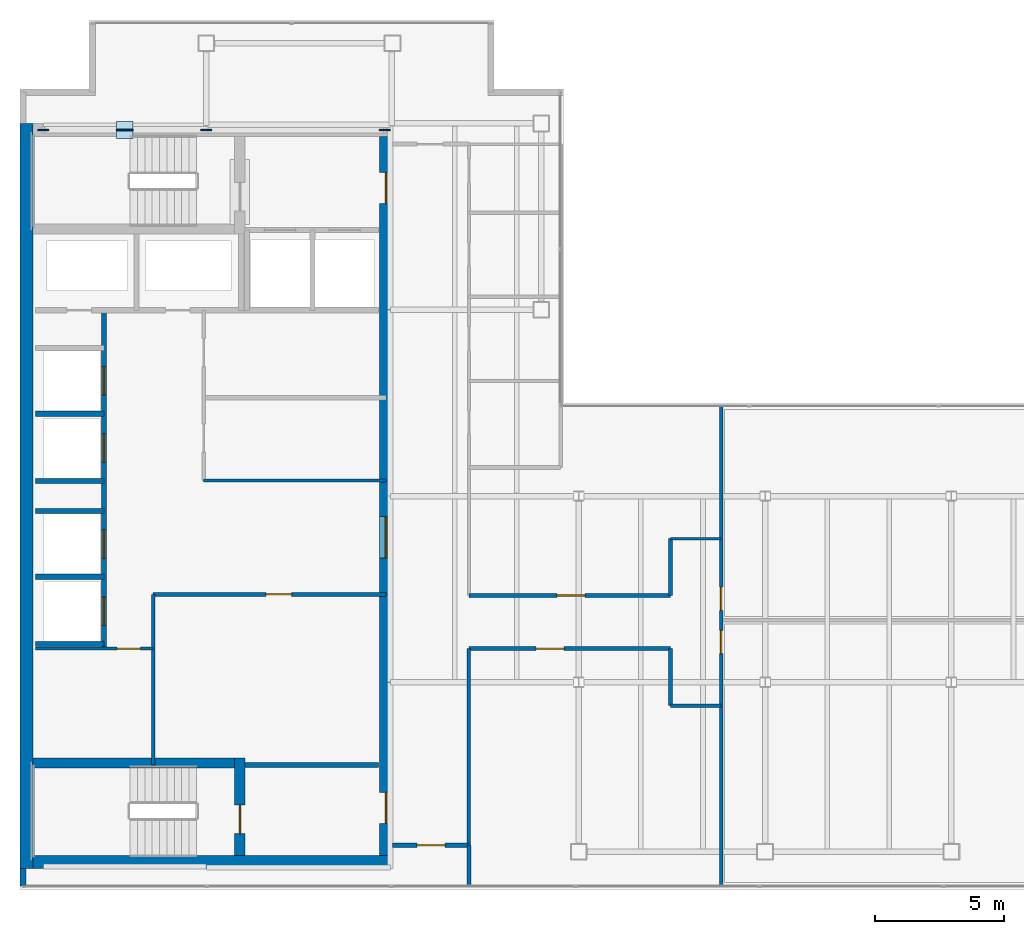
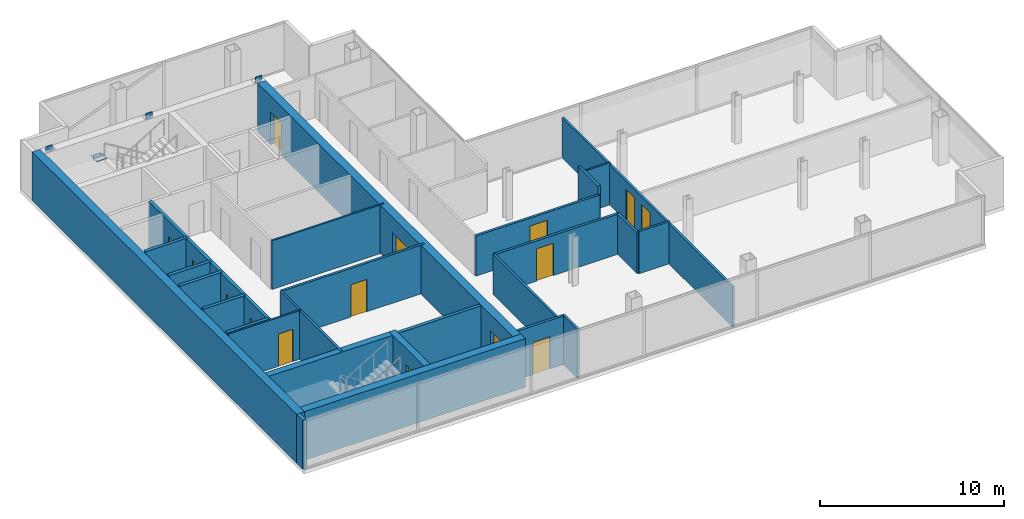
# One storey, part 20 of 23: 27 walls, 15 doors, 6 plates, 15 openings.
"""IFC4 building model written with IfcOpenShell, lengths in metres."""

from ifc_helpers import new_model, si_unit, direction, frame, frame_2d, origin, origin_2d, place, context, subcontext, project, spatial, rectangle, extrude, material, layer, layer_set, type_object, element, fill, save


model = new_model("IFC4")

# Units and contexts
model_context = context("Model", 3, precision=1e-05, world=origin(), true_north=direction((0.0, 1.0)))
body_context = subcontext(model_context, "Body", "Model", "MODEL_VIEW")
ifc_project = project(units=[si_unit("LENGTHUNIT", "METRE"), si_unit("AREAUNIT", "SQUARE_METRE"), si_unit("VOLUMEUNIT", "CUBIC_METRE"), si_unit("PLANEANGLEUNIT", "RADIAN"), si_unit("MASSUNIT", "GRAM", prefix="KILO")], contexts=[model_context])

# Site, building, storey
site_placement = place(None, origin())
site = spatial("IfcSite", under=ifc_project, at=site_placement, CompositionType="ELEMENT")
building_placement = place(site_placement, origin())
building = spatial("IfcBuilding", under=site, at=building_placement, Name="Cobrela Telecom Tower", CompositionType="ELEMENT")
storey_placement = place(building_placement, frame((0.0, 0.0, 279.64990234375)))
storey = spatial("IfcBuildingStorey", under=building, at=storey_placement, Name="L73", CompositionType="ELEMENT", Elevation=279.64990234375)

# Plates
ifc_material_1 = material(Name="Steel ASTM A572 Grade 50", Category="steel")
ifc_layer_1 = layer(ifc_material_1, 0.0419921875)
ifc_layer_set_1 = layer_set([ifc_layer_1], Name="Steel ASTM A572 Grade 50")
plate_type = type_object("IfcPlateType", Name="PLT-NODE-ND1", PredefinedType="USERDEFINED", material=ifc_layer_set_1)
for number, where, z_axis, x_axis, name in (
    (1, (7.199951171875, 35.75, 3.0751953125), (0.0, 0.0, 1.0), (1.0, 0.0, 0.0), "Steel node plate PLT-MBR-EXO-L73-N1-A-1"),
    (2, (4.173828125, 35.75, 1.349609375), (0.0, 0.0, 1.0), (-1.0, 0.0, 0.0), "Steel node plate PLT-MBR-EXO-L73-N1-B1-1"),
    (3, (3.926025390625, 35.75, 1.48046875), (0.0, 0.0, 1.0), (-1.0, 0.0, 0.0), "Steel node plate PLT-MBR-EXO-L73-N1-B2-0"),
    (4, (0.89990234375, 35.75, 3.0751953125), (0.0, 0.0, 1.0), (-1.0, 0.0, 0.0), "Steel node plate PLT-MBR-EXO-L73-N1-B2-1"),
):
    element("IfcPlate", number, at=place(storey_placement, frame(where, z_axis=z_axis, x_axis=x_axis)), inside=storey, type_object=plate_type, Name=name, ObjectType="GUSSET PLATE", PredefinedType="USERDEFINED", context=body_context, shape_type="SweptSolid", body=[
        extrude(rectangle(XDim=0.409912109375, YDim=0.044921875, at=origin_2d()), origin(), (0.0, 0.0, 1.0), 0.409912109375),
    ])
plate_1_placement = place(storey_placement, frame((4.050048828125, 35.75, 1.59765625), z_axis=(0.0, 0.0, 1.0), x_axis=(1.0, 0.0, 0.0)))
element("IfcPlate", 5, at=plate_1_placement, inside=storey, type_object=plate_type, Name="L73 Core Flange Steel X-Brace Central X-Crossing Gusset Plate", ObjectType="GUSSET PLATE", PredefinedType="USERDEFINED", context=body_context, shape_type="SweptSolid", body=[
    extrude(rectangle(XDim=0.64990234375, YDim=0.64990234375, at=origin_2d()), origin(), (0.0, 0.0, 1.0), 0.044921875),
])
plate_2_placement = place(storey_placement, frame((14.10009765625, 35.75, 3.0751953125), z_axis=(0.0, 0.0, 1.0), x_axis=(1.0, 0.0, 0.0)))
element("IfcPlate", 6, at=plate_2_placement, inside=storey, type_object=plate_type, Name="Steel node plate PLT-MBR-EXO-L73-N2-1", ObjectType="GUSSET PLATE", PredefinedType="USERDEFINED", context=body_context, shape_type="SweptSolid", body=[
    extrude(rectangle(XDim=0.409912109375, YDim=0.044921875, at=origin_2d()), origin(), (0.0, 0.0, 1.0), 0.409912109375),
])

# Walls
ifc_material_2 = material(Name="Concrete C40/50", Category="concrete")
ifc_layer_2 = layer(ifc_material_2, 0.5)
ifc_layer_set_2 = layer_set([ifc_layer_2], Name="Concrete C40/50")
wall_type_1 = type_object("IfcWallType", Name="WALL-CORE-C40-500", PredefinedType="SHEAR", material=ifc_layer_set_2)
wall_1_placement = place(storey_placement, frame((0.25, 7.199951171875, 0.0), z_axis=(0.0, 0.0, 1.0), x_axis=(0.0, 1.0, 0.0)))
element("IfcWall", 7, at=wall_1_placement, inside=storey, type_object=wall_type_1, Name="L73 West Core Shear Wall", PredefinedType="SHEAR", context=body_context, shape_type="SweptSolid", body=[
    extrude(rectangle(XDim=28.800048828125, YDim=0.5, at=frame_2d((14.39990234375, 0.0))), origin(), (0.0, 0.0, 1.0), 3.239990234375),
])
wall_2_placement = place(storey_placement, frame((0.5, 7.449951171875, 0.0), z_axis=(0.0, 0.0, 1.0), x_axis=(1.0, 0.0, 0.0)))
element("IfcWall", 8, at=wall_2_placement, inside=storey, type_object=wall_type_1, Name="L73 South Core Shear Wall", PredefinedType="SHEAR", context=body_context, shape_type="SweptSolid", body=[
    extrude(rectangle(XDim=13.89990234375, YDim=0.5, at=frame_2d((6.949951171875, 0.0))), origin(), (0.0, 0.0, 1.0), 3.239990234375),
])

# Wall, openings, doors
wall_3_placement = place(storey_placement, frame((14.14990234375, 35.5, 0.0), z_axis=(0.0, 0.0, 1.0), x_axis=(0.0, -1.0, 0.0)))
wall_3 = element("IfcWall", 9, at=wall_3_placement, inside=storey, type_object=wall_type_1, Name="L73 East Core Shear Wall", PredefinedType="SHEAR", context=body_context, shape_type="SweptSolid", body=[
    extrude(rectangle(XDim=27.800048828125, YDim=0.5, at=frame_2d((13.89990234375, 0.0))), origin(), (0.0, 0.0, 1.0), 3.239990234375),
])
opening_1_placement = place(wall_3_placement, frame((1.39990234375, 0.0, 0.0)))
opening_1 = element("IfcOpeningElement", 10, at=opening_1_placement, cuts=wall_3, Name="Opening DR-19", PredefinedType="OPENING", context=body_context, shape_type="SweptSolid", body=[
    extrude(rectangle(XDim=1.199951171875, YDim=2.14990234375, at=frame_2d((0.60009765625, 1.074951171875))), frame((0.0, 0.261962890625, 0.0), z_axis=(0.0, -1.0, 0.0), x_axis=(1.0, 0.0, 0.0)), (0.0, 0.0, 1.0), 0.52392578125),
])
opening_2_placement = place(wall_3_placement, frame((25.35009765625, 0.0, 0.0)))
opening_2 = element("IfcOpeningElement", 11, at=opening_2_placement, cuts=wall_3, Name="Opening DR-19", PredefinedType="OPENING", context=body_context, shape_type="SweptSolid", body=[
    extrude(rectangle(XDim=1.199951171875, YDim=2.14990234375, at=frame_2d((0.60009765625, 1.074951171875))), frame((0.0, 0.261962890625, 0.0), z_axis=(0.0, -1.0, 0.0), x_axis=(1.0, 0.0, 0.0)), (0.0, 0.0, 1.0), 0.52392578125),
])
opening_3_placement = place(wall_3_placement, frame((14.699951171875, 0.0, 0.0)))
opening_3 = element("IfcOpeningElement", 12, at=opening_3_placement, cuts=wall_3, Name="Opening DR-51", PredefinedType="OPENING", context=body_context, shape_type="SweptSolid", body=[
    extrude(rectangle(XDim=1.60009765625, YDim=2.199951171875, at=frame_2d((0.800048828125, 1.10009765625))), frame((0.0, 0.261962890625, 0.0), z_axis=(0.0, -1.0, 0.0), x_axis=(1.0, 0.0, 0.0)), (0.0, 0.0, 1.0), 0.52392578125),
])
ifc_material_3 = material(Name="Steel ASTM A36", Category="steel")
door_type_1 = type_object("IfcDoorType", Name="DOOR-FD60-1200", OperationType="SINGLE_SWING_LEFT", PredefinedType="DOOR", material=ifc_material_3)
door_1_placement = place(opening_1_placement, origin())
door_1 = element("IfcDoor", 13, at=door_1_placement, inside=storey, type_object=door_type_1, Name="L73 Door DR-19", OperationType="SINGLE_SWING_LEFT", OverallHeight=2.14990234375, OverallWidth=1.199951171875, PredefinedType="DOOR", context=body_context, shape_type="SweptSolid", body=[
    extrude(rectangle(XDim=1.199951171875, YDim=2.14990234375, at=frame_2d((0.60009765625, 1.074951171875))), frame((0.0, 0.02490234375, 0.0), z_axis=(0.0, -1.0, 0.0), x_axis=(1.0, 0.0, 0.0)), (0.0, 0.0, 1.0), 0.050048828125),
])
fill(opening_1, door_1)
door_2_placement = place(opening_2_placement, origin())
door_2 = element("IfcDoor", 14, at=door_2_placement, inside=storey, type_object=door_type_1, Name="L73 Door DR-19", OperationType="SINGLE_SWING_RIGHT", OverallHeight=2.14990234375, OverallWidth=1.199951171875, PredefinedType="DOOR", context=body_context, shape_type="SweptSolid", body=[
    extrude(rectangle(XDim=1.199951171875, YDim=2.14990234375, at=frame_2d((0.60009765625, 1.074951171875))), frame((0.0, 0.02490234375, 0.0), z_axis=(0.0, -1.0, 0.0), x_axis=(1.0, 0.0, 0.0)), (0.0, 0.0, 1.0), 0.050048828125),
])
fill(opening_2, door_2)
door_type_2 = type_object("IfcDoorType", Name="DOOR-FD60-1600", OperationType="SINGLE_SWING_LEFT", PredefinedType="DOOR", material=ifc_material_3)
door_3_placement = place(opening_3_placement, origin())
door_3 = element("IfcDoor", 15, at=door_3_placement, inside=storey, type_object=door_type_2, Name="L73 Door DR-51", OperationType="DOUBLE_DOOR_SINGLE_SWING", OverallHeight=2.199951171875, OverallWidth=1.60009765625, PredefinedType="DOOR", context=body_context, shape_type="SweptSolid", body=[
    extrude(rectangle(XDim=1.60009765625, YDim=2.199951171875, at=frame_2d((0.800048828125, 1.10009765625))), frame((0.0, 0.02490234375, 0.0), z_axis=(0.0, -1.0, 0.0), x_axis=(1.0, 0.0, 0.0)), (0.0, 0.0, 1.0), 0.050048828125),
])
fill(opening_3, door_3)

# Walls
ifc_layer_3 = layer(ifc_material_2, 0.239990234375)
ifc_layer_set_3 = layer_set([ifc_layer_3], Name="Concrete C40/50")
wall_type_2 = type_object("IfcWallType", Name="WALL-EXT-300", PredefinedType="STANDARD", material=ifc_layer_set_3)
wall_4_placement = place(storey_placement, frame((0.1201171875, 6.52001953125, 0.0), z_axis=(0.0, 0.0, 1.0), x_axis=(0.0, 1.0, 0.0)))
element("IfcWall", 16, at=wall_4_placement, inside=storey, type_object=wall_type_2, Name="L73 Insulated Facade Wall 01", PredefinedType="STANDARD", context=body_context, shape_type="SweptSolid", body=[
    extrude(rectangle(XDim=0.679931640625, YDim=0.239990234375, at=frame_2d((0.33984375, 0.0))), origin(), (0.0, 0.0, 1.0), 3.239990234375),
])
ifc_material_4 = material(Name="Fire-Rated Gypsum Plasterboard")
ifc_layer_4 = layer(ifc_material_4, 0.110107421875)
ifc_layer_set_4 = layer_set([ifc_layer_4], Name="Fire-Rated Gypsum Plasterboard")
wall_type_3 = type_object("IfcWallType", Name="WALL-PART-110", PredefinedType="PARTITIONING", material=ifc_layer_set_4)
wall_5_placement = place(storey_placement, frame((7.10009765625, 22.199951171875, 0.0), z_axis=(0.0, 0.0, 1.0), x_axis=(1.0, 0.0, 0.0)))
element("IfcWall", 17, at=wall_5_placement, inside=storey, type_object=wall_type_3, Name="L73 Interior Partition CW-RECL-S", PredefinedType="PARTITIONING", context=body_context, shape_type="SweptSolid", body=[
    extrude(rectangle(XDim=7.0498046875, YDim=0.110107421875, at=frame_2d((3.52490234375, 0.0))), origin(), (0.0, 0.0, 1.0), 3.239990234375),
])

# Wall, opening, door
wall_6_placement = place(storey_placement, frame((0.60009765625, 15.699951171875, 0.0), z_axis=(0.0, 0.0, 1.0), x_axis=(1.0, 0.0, 0.0)))
wall_6 = element("IfcWall", 18, at=wall_6_placement, inside=storey, type_object=wall_type_3, Name="L73 Interior Partition CW-FLEX-N", PredefinedType="PARTITIONING", context=body_context, shape_type="SweptSolid", body=[
    extrude(rectangle(XDim=4.5498046875, YDim=0.110107421875, at=frame_2d((2.27490234375, 0.0))), origin(), (0.0, 0.0, 1.0), 3.239990234375),
])
opening_4_placement = place(wall_6_placement, frame((3.14990234375, 0.0, 0.0)))
opening_4 = element("IfcOpeningElement", 19, at=opening_4_placement, cuts=wall_6, Name="Opening DR-41", PredefinedType="OPENING", context=body_context, shape_type="SweptSolid", body=[
    extrude(rectangle(XDim=0.89990234375, YDim=2.14990234375, at=frame_2d((0.449951171875, 1.074951171875))), frame((0.0, 0.06689453125, 0.0), z_axis=(0.0, -1.0, 0.0), x_axis=(1.0, 0.0, 0.0)), (0.0, 0.0, 1.0), 0.134033203125),
])
ifc_material_5 = material(Name="Solid Engineered Oak Timber", Category="wood")
door_type_3 = type_object("IfcDoorType", Name="DOOR-INT-900", OperationType="SINGLE_SWING_LEFT", PredefinedType="DOOR", material=ifc_material_5)
door_4_placement = place(opening_4_placement, origin())
door_4 = element("IfcDoor", 20, at=door_4_placement, inside=storey, type_object=door_type_3, Name="L73 Door DR-41", OperationType="SINGLE_SWING_LEFT", OverallHeight=2.14990234375, OverallWidth=0.89990234375, PredefinedType="DOOR", context=body_context, shape_type="SweptSolid", body=[
    extrude(rectangle(XDim=0.89990234375, YDim=2.14990234375, at=frame_2d((0.449951171875, 1.074951171875))), frame((0.0, 0.02490234375, 0.0), z_axis=(0.0, -1.0, 0.0), x_axis=(1.0, 0.0, 0.0)), (0.0, 0.0, 1.0), 0.050048828125),
])
fill(opening_4, door_4)

# Walls
wall_7_placement = place(storey_placement, frame((25.14990234375, 19.949951171875, 0.0), z_axis=(0.0, 0.0, 1.0), x_axis=(1.0, 0.0, 0.0)))
element("IfcWall", 21, at=wall_7_placement, inside=storey, type_object=wall_type_3, Name="L73 Interior Partition W-CT-N", PredefinedType="PARTITIONING", context=body_context, shape_type="SweptSolid", body=[
    extrude(rectangle(XDim=1.9501953125, YDim=0.110107421875, at=frame_2d((0.97509765625, 0.0))), origin(), (0.0, 0.0, 1.0), 2.80810546875),
])
ifc_layer_5 = layer(ifc_material_4, 0.135009765625)
ifc_layer_set_5 = layer_set([ifc_layer_5], Name="Fire-Rated Gypsum Plasterboard")
wall_type_4 = type_object("IfcWallType", Name="WALL-PART-135", PredefinedType="PARTITIONING", material=ifc_layer_set_5)
wall_8_placement = place(storey_placement, frame((5.14990234375, 11.199951171875, 0.0), z_axis=(0.0, 0.0, 1.0), x_axis=(0.0, 1.0, 0.0)))
element("IfcWall", 22, at=wall_8_placement, inside=storey, type_object=wall_type_4, Name="L73 Interior Partition CW-RECM-W", PredefinedType="PARTITIONING", context=body_context, shape_type="SweptSolid", body=[
    extrude(rectangle(XDim=6.60009765625, YDim=0.135009765625, at=frame_2d((3.300048828125, 0.0))), origin(), (0.0, 0.0, 1.0), 3.239990234375),
])
wall_9_placement = place(storey_placement, frame((17.35009765625, 8.10009765625, 0.0), z_axis=(0.0, 0.0, 1.0), x_axis=(0.0, 1.0, 0.0)))
element("IfcWall", 23, at=wall_9_placement, inside=storey, type_object=wall_type_4, Name="L73 Interior Partition W-C-E1", PredefinedType="PARTITIONING", context=body_context, shape_type="SweptSolid", body=[
    extrude(rectangle(XDim=7.599853515625, YDim=0.135009765625, at=frame_2d((3.7998046875, 0.0))), origin(), (0.0, 0.0, 1.0), 2.676025390625),
])
wall_10_placement = place(storey_placement, frame((25.14990234375, 13.5, 0.0), z_axis=(0.0, 0.0, 1.0), x_axis=(1.0, 0.0, 0.0)))
element("IfcWall", 24, at=wall_10_placement, inside=storey, type_object=wall_type_4, Name="L73 Interior Partition W-CT-S", PredefinedType="PARTITIONING", context=body_context, shape_type="SweptSolid", body=[
    extrude(rectangle(XDim=1.9501953125, YDim=0.135009765625, at=frame_2d((0.97509765625, 0.0))), origin(), (0.0, 0.0, 1.0), 2.80810546875),
])

# Wall, openings, doors
wall_11_placement = place(storey_placement, frame((27.10009765625, 6.52001953125, 0.0), z_axis=(0.0, 0.0, 1.0), x_axis=(0.0, 1.0, 0.0)))
wall_11 = element("IfcWall", 25, at=wall_11_placement, inside=storey, type_object=wall_type_4, Name="L73 Interior Partition W-C-END", PredefinedType="PARTITIONING", context=body_context, shape_type="SweptSolid", body=[
    extrude(rectangle(XDim=18.56005859375, YDim=0.135009765625, at=frame_2d((9.280029296875, 0.0))), origin(), (0.0, 0.0, 1.0), 2.676025390625),
])
opening_5_placement = place(wall_11_placement, frame((8.989990234375, 0.0, 0.0)))
opening_5 = element("IfcOpeningElement", 26, at=opening_5_placement, cuts=wall_11, Name="Opening DR-41", PredefinedType="OPENING", context=body_context, shape_type="SweptSolid", body=[
    extrude(rectangle(XDim=0.89990234375, YDim=2.14990234375, at=frame_2d((0.449951171875, 1.074951171875))), frame((0.0, 0.07958984375, 0.0), z_axis=(0.0, -1.0, 0.0), x_axis=(1.0, 0.0, 0.0)), (0.0, 0.0, 1.0), 0.158935546875),
])
opening_6_placement = place(wall_11_placement, frame((10.659912109375, 0.0, 0.0)))
opening_6 = element("IfcOpeningElement", 27, at=opening_6_placement, cuts=wall_11, Name="Opening DR-41", PredefinedType="OPENING", context=body_context, shape_type="SweptSolid", body=[
    extrude(rectangle(XDim=0.89990234375, YDim=2.14990234375, at=frame_2d((0.449951171875, 1.074951171875))), frame((0.0, 0.07958984375, 0.0), z_axis=(0.0, -1.0, 0.0), x_axis=(1.0, 0.0, 0.0)), (0.0, 0.0, 1.0), 0.158935546875),
])
door_5_placement = place(opening_5_placement, origin())
door_5 = element("IfcDoor", 28, at=door_5_placement, inside=storey, type_object=door_type_3, Name="L73 Door DR-41", OperationType="SINGLE_SWING_LEFT", OverallHeight=2.14990234375, OverallWidth=0.89990234375, PredefinedType="DOOR", context=body_context, shape_type="SweptSolid", body=[
    extrude(rectangle(XDim=0.89990234375, YDim=2.14990234375, at=frame_2d((0.449951171875, 1.074951171875))), frame((0.0, 0.02490234375, 0.0), z_axis=(0.0, -1.0, 0.0), x_axis=(1.0, 0.0, 0.0)), (0.0, 0.0, 1.0), 0.050048828125),
])
fill(opening_5, door_5)
door_6_placement = place(opening_6_placement, origin())
door_6 = element("IfcDoor", 29, at=door_6_placement, inside=storey, type_object=door_type_3, Name="L73 Door DR-41", OperationType="SINGLE_SWING_RIGHT", OverallHeight=2.14990234375, OverallWidth=0.89990234375, PredefinedType="DOOR", context=body_context, shape_type="SweptSolid", body=[
    extrude(rectangle(XDim=0.89990234375, YDim=2.14990234375, at=frame_2d((0.449951171875, 1.074951171875))), frame((0.0, 0.02490234375, 0.0), z_axis=(0.0, -1.0, 0.0), x_axis=(1.0, 0.0, 0.0)), (0.0, 0.0, 1.0), 0.050048828125),
])
fill(opening_6, door_6)

# Wall, opening, door
ifc_layer_6 = layer(ifc_material_4, 0.14990234375)
ifc_layer_set_6 = layer_set([ifc_layer_6], Name="Fire-Rated Gypsum Plasterboard")
wall_type_5 = type_object("IfcWallType", Name="WALL-PART-150", PredefinedType="PARTITIONING", material=ifc_layer_set_6)
wall_12_placement = place(storey_placement, frame((5.14990234375, 17.800048828125, 0.0), z_axis=(0.0, 0.0, 1.0), x_axis=(1.0, 0.0, 0.0)))
wall_12 = element("IfcWall", 30, at=wall_12_placement, inside=storey, type_object=wall_type_5, Name="L73 Interior Partition CW-RECM-N", PredefinedType="PARTITIONING", context=body_context, shape_type="SweptSolid", body=[
    extrude(rectangle(XDim=9.0, YDim=0.14990234375, at=frame_2d((4.5, 0.0))), origin(), (0.0, 0.0, 1.0), 3.239990234375),
])
opening_7_placement = place(wall_12_placement, frame((4.35009765625, 0.0, 0.0)))
opening_7 = element("IfcOpeningElement", 31, at=opening_7_placement, cuts=wall_12, Name="Opening DR-31", PredefinedType="OPENING", context=body_context, shape_type="SweptSolid", body=[
    extrude(rectangle(XDim=1.0, YDim=2.14990234375, at=frame_2d((0.5, 1.074951171875))), frame((0.0, 0.0869140625, 0.0), z_axis=(0.0, -1.0, 0.0), x_axis=(1.0, 0.0, 0.0)), (0.0, 0.0, 1.0), 0.173828125),
])
door_type_4 = type_object("IfcDoorType", Name="DOOR-INT-1000", OperationType="SINGLE_SWING_LEFT", PredefinedType="DOOR", material=ifc_material_5)
door_7_placement = place(opening_7_placement, origin())
door_7 = element("IfcDoor", 32, at=door_7_placement, inside=storey, type_object=door_type_4, Name="L73 Door DR-31", OperationType="SINGLE_SWING_LEFT", OverallHeight=2.14990234375, OverallWidth=1.0, PredefinedType="DOOR", context=body_context, shape_type="SweptSolid", body=[
    extrude(rectangle(XDim=1.0, YDim=2.14990234375, at=frame_2d((0.5, 1.074951171875))), frame((0.0, 0.02490234375, 0.0), z_axis=(0.0, -1.0, 0.0), x_axis=(1.0, 0.0, 0.0)), (0.0, 0.0, 1.0), 0.050048828125),
])
fill(opening_7, door_7)

wall_13_placement = place(storey_placement, frame((17.35009765625, 17.75, 0.0), z_axis=(0.0, 0.0, 1.0), x_axis=(1.0, 0.0, 0.0)))
wall_13 = element("IfcWall", 33, at=wall_13_placement, inside=storey, type_object=wall_type_5, Name="L73 Interior Partition W-C-HN", PredefinedType="PARTITIONING", context=body_context, shape_type="SweptSolid", body=[
    extrude(rectangle(XDim=7.7998046875, YDim=0.14990234375, at=frame_2d((3.89990234375, 0.0))), origin(), (0.0, 0.0, 1.0), 2.676025390625),
])
opening_8_placement = place(wall_13_placement, frame((3.39990234375, 0.0, 0.0)))
opening_8 = element("IfcOpeningElement", 34, at=opening_8_placement, cuts=wall_13, Name="Opening DR-63", PredefinedType="OPENING", context=body_context, shape_type="SweptSolid", body=[
    extrude(rectangle(XDim=1.080078125, YDim=2.14990234375, at=frame_2d((0.5400390625, 1.074951171875))), frame((0.0, 0.0869140625, 0.0), z_axis=(0.0, -1.0, 0.0), x_axis=(1.0, 0.0, 0.0)), (0.0, 0.0, 1.0), 0.173828125),
])
door_type_5 = type_object("IfcDoorType", Name="DOOR-INT-1080", OperationType="SINGLE_SWING_LEFT", PredefinedType="DOOR", material=ifc_material_5)
door_8_placement = place(opening_8_placement, origin())
door_8 = element("IfcDoor", 35, at=door_8_placement, inside=storey, type_object=door_type_5, Name="L73 Door DR-63", OperationType="SINGLE_SWING_LEFT", OverallHeight=2.14990234375, OverallWidth=1.080078125, PredefinedType="DOOR", context=body_context, shape_type="SweptSolid", body=[
    extrude(rectangle(XDim=1.080078125, YDim=2.14990234375, at=frame_2d((0.5400390625, 1.074951171875))), frame((0.0, 0.02490234375, 0.0), z_axis=(0.0, -1.0, 0.0), x_axis=(1.0, 0.0, 0.0)), (0.0, 0.0, 1.0), 0.050048828125),
])
fill(opening_8, door_8)

# Walls
wall_14_placement = place(storey_placement, frame((25.14990234375, 17.75, 0.0), z_axis=(0.0, 0.0, 1.0), x_axis=(0.0, 1.0, 0.0)))
element("IfcWall", 36, at=wall_14_placement, inside=storey, type_object=wall_type_5, Name="L73 Interior Partition W-CT-JW2", PredefinedType="PARTITIONING", context=body_context, shape_type="SweptSolid", body=[
    extrude(rectangle(XDim=2.199951171875, YDim=0.14990234375, at=frame_2d((1.10009765625, 0.0))), origin(), (0.0, 0.0, 1.0), 3.239990234375),
])
wall_15_placement = place(storey_placement, frame((17.35009765625, 6.52001953125, 0.0), z_axis=(0.0, 0.0, 1.0), x_axis=(0.0, 1.0, 0.0)))
element("IfcWall", 37, at=wall_15_placement, inside=storey, type_object=wall_type_5, Name="L73 Interior Partition W-SW-E", PredefinedType="PARTITIONING", context=body_context, shape_type="SweptSolid", body=[
    extrude(rectangle(XDim=1.580078125, YDim=0.14990234375, at=frame_2d((0.7900390625, 0.0))), origin(), (0.0, 0.0, 1.0), 3.239990234375),
])

# Wall, opening, door
ifc_layer_7 = layer(ifc_material_4, 0.159912109375)
ifc_layer_set_7 = layer_set([ifc_layer_7], Name="Fire-Rated Gypsum Plasterboard")
wall_type_6 = type_object("IfcWallType", Name="WALL-PART-160", PredefinedType="PARTITIONING", material=ifc_layer_set_7)
wall_16_placement = place(storey_placement, frame((14.39990234375, 8.10009765625, 0.0), z_axis=(0.0, 0.0, 1.0), x_axis=(1.0, 0.0, 0.0)))
wall_16 = element("IfcWall", 38, at=wall_16_placement, inside=storey, type_object=wall_type_6, Name="L73 Interior Partition W-C-S0", PredefinedType="PARTITIONING", context=body_context, shape_type="SweptSolid", body=[
    extrude(rectangle(XDim=2.9501953125, YDim=0.159912109375, at=frame_2d((1.47509765625, 0.0))), origin(), (0.0, 0.0, 1.0), 3.239990234375),
])
opening_9_placement = place(wall_16_placement, frame((0.949951171875, 0.0, 0.0)))
opening_9 = element("IfcOpeningElement", 39, at=opening_9_placement, cuts=wall_16, Name="Opening DR-63", PredefinedType="OPENING", context=body_context, shape_type="SweptSolid", body=[
    extrude(rectangle(XDim=1.080078125, YDim=2.14990234375, at=frame_2d((0.5400390625, 1.074951171875))), frame((0.0, 0.091796875, 0.0), z_axis=(0.0, -1.0, 0.0), x_axis=(1.0, 0.0, 0.0)), (0.0, 0.0, 1.0), 0.183837890625),
])
door_9_placement = place(opening_9_placement, origin())
door_9 = element("IfcDoor", 40, at=door_9_placement, inside=storey, type_object=door_type_5, Name="L73 Door DR-63", OperationType="SINGLE_SWING_RIGHT", OverallHeight=2.14990234375, OverallWidth=1.080078125, PredefinedType="DOOR", context=body_context, shape_type="SweptSolid", body=[
    extrude(rectangle(XDim=1.080078125, YDim=2.14990234375, at=frame_2d((0.5400390625, 1.074951171875))), frame((0.0, 0.02490234375, 0.0), z_axis=(0.0, -1.0, 0.0), x_axis=(1.0, 0.0, 0.0)), (0.0, 0.0, 1.0), 0.050048828125),
])
fill(opening_9, door_9)

wall_17_placement = place(storey_placement, frame((17.35009765625, 15.699951171875, 0.0), z_axis=(0.0, 0.0, 1.0), x_axis=(1.0, 0.0, 0.0)))
wall_17 = element("IfcWall", 41, at=wall_17_placement, inside=storey, type_object=wall_type_6, Name="L73 Interior Partition W-C-HS", PredefinedType="PARTITIONING", context=body_context, shape_type="SweptSolid", body=[
    extrude(rectangle(XDim=7.7998046875, YDim=0.159912109375, at=frame_2d((3.89990234375, 0.0))), origin(), (0.0, 0.0, 1.0), 2.676025390625),
])
opening_10_placement = place(wall_17_placement, frame((2.60009765625, 0.0, 0.0)))
opening_10 = element("IfcOpeningElement", 42, at=opening_10_placement, cuts=wall_17, Name="Opening DR-63", PredefinedType="OPENING", context=body_context, shape_type="SweptSolid", body=[
    extrude(rectangle(XDim=1.080078125, YDim=2.14990234375, at=frame_2d((0.5400390625, 1.074951171875))), frame((0.0, 0.091796875, 0.0), z_axis=(0.0, -1.0, 0.0), x_axis=(1.0, 0.0, 0.0)), (0.0, 0.0, 1.0), 0.183837890625),
])
door_10_placement = place(opening_10_placement, origin())
door_10 = element("IfcDoor", 43, at=door_10_placement, inside=storey, type_object=door_type_5, Name="L73 Door DR-63", OperationType="SINGLE_SWING_LEFT", OverallHeight=2.14990234375, OverallWidth=1.080078125, PredefinedType="DOOR", context=body_context, shape_type="SweptSolid", body=[
    extrude(rectangle(XDim=1.080078125, YDim=2.14990234375, at=frame_2d((0.5400390625, 1.074951171875))), frame((0.0, 0.02490234375, 0.0), z_axis=(0.0, -1.0, 0.0), x_axis=(1.0, 0.0, 0.0)), (0.0, 0.0, 1.0), 0.050048828125),
])
fill(opening_10, door_10)

# Walls
wall_18_placement = place(storey_placement, frame((25.14990234375, 13.5, 0.0), z_axis=(0.0, 0.0, 1.0), x_axis=(0.0, 1.0, 0.0)))
element("IfcWall", 44, at=wall_18_placement, inside=storey, type_object=wall_type_6, Name="L73 Interior Partition W-CT-JW1", PredefinedType="PARTITIONING", context=body_context, shape_type="SweptSolid", body=[
    extrude(rectangle(XDim=2.199951171875, YDim=0.159912109375, at=frame_2d((1.10009765625, 0.0))), origin(), (0.0, 0.0, 1.0), 2.676025390625),
])
ifc_layer_8 = layer(ifc_material_4, 0.199951171875)
ifc_layer_set_8 = layer_set([ifc_layer_8], Name="Fire-Rated Gypsum Plasterboard")
wall_type_7 = type_object("IfcWallType", Name="WALL-SHAFT-200", PredefinedType="PARTITIONING", material=ifc_layer_set_8)
wall_19_placement = place(storey_placement, frame((8.699951171875, 11.199951171875, 0.0), z_axis=(0.0, 0.0, 1.0), x_axis=(1.0, 0.0, 0.0)))
element("IfcWall", 45, at=wall_19_placement, inside=storey, type_object=wall_type_7, Name="L73 Shaft Enclosure CW-ST2L-N", PredefinedType="PARTITIONING", context=body_context, shape_type="SweptSolid", body=[
    extrude(rectangle(XDim=5.150146484375, YDim=0.199951171875, at=frame_2d((2.5751953125, 0.0))), origin(), (0.0, 0.0, 1.0), 3.239990234375),
])

# Wall, openings, doors
wall_20_placement = place(storey_placement, frame((3.25, 15.699951171875, 0.0), z_axis=(0.0, 0.0, 1.0), x_axis=(0.0, 1.0, 0.0)))
wall_20 = element("IfcWall", 46, at=wall_20_placement, inside=storey, type_object=wall_type_7, Name="L73 Shaft Enclosure CW-PLH-E", PredefinedType="PARTITIONING", context=body_context, shape_type="SweptSolid", body=[
    extrude(rectangle(XDim=13.080078125, YDim=0.199951171875, at=frame_2d((6.5400390625, 0.0))), origin(), (0.0, 0.0, 1.0), 3.239990234375),
])
opening_11_placement = place(wall_20_placement, frame((0.89990234375, 0.0, 0.0)))
opening_11 = element("IfcOpeningElement", 47, at=opening_11_placement, cuts=wall_20, Name="Opening LD-1", PredefinedType="OPENING", context=body_context, shape_type="SweptSolid", body=[
    extrude(rectangle(XDim=1.10009765625, YDim=2.199951171875, at=frame_2d((0.550048828125, 1.10009765625))), frame((0.0, 0.11181640625, 0.0), z_axis=(0.0, -1.0, 0.0), x_axis=(1.0, 0.0, 0.0)), (0.0, 0.0, 1.0), 0.223876953125),
])
opening_12_placement = place(wall_20_placement, frame((3.5, 0.0, 0.0)))
opening_12 = element("IfcOpeningElement", 48, at=opening_12_placement, cuts=wall_20, Name="Opening LD-1", PredefinedType="OPENING", context=body_context, shape_type="SweptSolid", body=[
    extrude(rectangle(XDim=1.10009765625, YDim=2.199951171875, at=frame_2d((0.550048828125, 1.10009765625))), frame((0.0, 0.11181640625, 0.0), z_axis=(0.0, -1.0, 0.0), x_axis=(1.0, 0.0, 0.0)), (0.0, 0.0, 1.0), 0.223876953125),
])
opening_13_placement = place(wall_20_placement, frame((7.199951171875, 0.0, 0.0)))
opening_13 = element("IfcOpeningElement", 49, at=opening_13_placement, cuts=wall_20, Name="Opening LD-1", PredefinedType="OPENING", context=body_context, shape_type="SweptSolid", body=[
    extrude(rectangle(XDim=1.10009765625, YDim=2.199951171875, at=frame_2d((0.550048828125, 1.10009765625))), frame((0.0, 0.11181640625, 0.0), z_axis=(0.0, -1.0, 0.0), x_axis=(1.0, 0.0, 0.0)), (0.0, 0.0, 1.0), 0.223876953125),
])
opening_14_placement = place(wall_20_placement, frame((9.800048828125, 0.0, 0.0)))
opening_14 = element("IfcOpeningElement", 50, at=opening_14_placement, cuts=wall_20, Name="Opening LD-1", PredefinedType="OPENING", context=body_context, shape_type="SweptSolid", body=[
    extrude(rectangle(XDim=1.10009765625, YDim=2.199951171875, at=frame_2d((0.550048828125, 1.10009765625))), frame((0.0, 0.11181640625, 0.0), z_axis=(0.0, -1.0, 0.0), x_axis=(1.0, 0.0, 0.0)), (0.0, 0.0, 1.0), 0.223876953125),
])
door_type_6 = type_object("IfcDoorType", Name="DOOR-LD-PL", OperationType="SINGLE_SWING_LEFT", PredefinedType="DOOR", material=ifc_material_3)
door_11_placement = place(opening_11_placement, origin())
door_11 = element("IfcDoor", 51, at=door_11_placement, inside=storey, type_object=door_type_6, Name="L73 Lift Landing Door LD-1", OperationType="DOUBLE_DOOR_SLIDING", OverallHeight=2.199951171875, OverallWidth=1.10009765625, PredefinedType="DOOR", context=body_context, shape_type="SweptSolid", body=[
    extrude(rectangle(XDim=1.10009765625, YDim=2.199951171875, at=frame_2d((0.550048828125, 1.10009765625))), frame((0.0, 0.02490234375, 0.0), z_axis=(0.0, -1.0, 0.0), x_axis=(1.0, 0.0, 0.0)), (0.0, 0.0, 1.0), 0.050048828125),
])
fill(opening_11, door_11)
door_12_placement = place(opening_12_placement, origin())
door_12 = element("IfcDoor", 52, at=door_12_placement, inside=storey, type_object=door_type_6, Name="L73 Lift Landing Door LD-1", OperationType="DOUBLE_DOOR_SLIDING", OverallHeight=2.199951171875, OverallWidth=1.10009765625, PredefinedType="DOOR", context=body_context, shape_type="SweptSolid", body=[
    extrude(rectangle(XDim=1.10009765625, YDim=2.199951171875, at=frame_2d((0.550048828125, 1.10009765625))), frame((0.0, 0.02490234375, 0.0), z_axis=(0.0, -1.0, 0.0), x_axis=(1.0, 0.0, 0.0)), (0.0, 0.0, 1.0), 0.050048828125),
])
fill(opening_12, door_12)
door_13_placement = place(opening_13_placement, origin())
door_13 = element("IfcDoor", 53, at=door_13_placement, inside=storey, type_object=door_type_6, Name="L73 Lift Landing Door LD-1", OperationType="DOUBLE_DOOR_SLIDING", OverallHeight=2.199951171875, OverallWidth=1.10009765625, PredefinedType="DOOR", context=body_context, shape_type="SweptSolid", body=[
    extrude(rectangle(XDim=1.10009765625, YDim=2.199951171875, at=frame_2d((0.550048828125, 1.10009765625))), frame((0.0, 0.02490234375, 0.0), z_axis=(0.0, -1.0, 0.0), x_axis=(1.0, 0.0, 0.0)), (0.0, 0.0, 1.0), 0.050048828125),
])
fill(opening_13, door_13)
door_14_placement = place(opening_14_placement, origin())
door_14 = element("IfcDoor", 54, at=door_14_placement, inside=storey, type_object=door_type_6, Name="L73 Lift Landing Door LD-1", OperationType="DOUBLE_DOOR_SLIDING", OverallHeight=2.199951171875, OverallWidth=1.10009765625, PredefinedType="DOOR", context=body_context, shape_type="SweptSolid", body=[
    extrude(rectangle(XDim=1.10009765625, YDim=2.199951171875, at=frame_2d((0.550048828125, 1.10009765625))), frame((0.0, 0.02490234375, 0.0), z_axis=(0.0, -1.0, 0.0), x_axis=(1.0, 0.0, 0.0)), (0.0, 0.0, 1.0), 0.050048828125),
])
fill(opening_14, door_14)

# Walls
for number, where, z_axis, x_axis, name in (
    (55, (0.60009765625, 15.8798828125, 0.0), (0.0, 0.0, 1.0), (1.0, 0.0, 0.0), "L73 Shaft Enclosure CW-PLH-D9"),
    (56, (0.60009765625, 18.47998046875, 0.0), (0.0, 0.0, 1.0), (1.0, 0.0, 0.0), "L73 Shaft Enclosure CW-PLH-D10"),
    (57, (0.60009765625, 22.179931640625, 0.0), (0.0, 0.0, 1.0), (1.0, 0.0, 0.0), "L73 Shaft Enclosure CW-PLH-D11"),
    (58, (0.60009765625, 24.780029296875, 0.0), (0.0, 0.0, 1.0), (1.0, 0.0, 0.0), "L73 Shaft Enclosure CW-PLH-D12"),
    (59, (0.60009765625, 21.02001953125, 0.0), (0.0, 0.0, 1.0), (1.0, 0.0, 0.0), "L73 Shaft Enclosure CW-PLH-MID"),
):
    element("IfcWall", number, at=place(storey_placement, frame(where, z_axis=z_axis, x_axis=x_axis)), inside=storey, type_object=wall_type_7, Name=name, PredefinedType="PARTITIONING", context=body_context, shape_type="SweptSolid", body=[
        extrude(rectangle(XDim=2.64990234375, YDim=0.199951171875, at=frame_2d((1.324951171875, 0.0))), origin(), (0.0, 0.0, 1.0), 3.239990234375),
    ])
ifc_layer_9 = layer(ifc_material_2, 0.39990234375)
ifc_layer_set_9 = layer_set([ifc_layer_9], Name="Concrete C40/50")
wall_type_8 = type_object("IfcWallType", Name="WALL-SHAFT-C40-400", PredefinedType="SHEAR", material=ifc_layer_set_9)
wall_21_placement = place(storey_placement, frame((0.5, 11.280029296875, 0.0), z_axis=(0.0, 0.0, 1.0), x_axis=(1.0, 0.0, 0.0)))
element("IfcWall", 60, at=wall_21_placement, inside=storey, type_object=wall_type_8, Name="L73 South Stair Shear Wall", PredefinedType="SHEAR", context=body_context, shape_type="SweptSolid", body=[
    extrude(rectangle(XDim=7.800048828125, YDim=0.39990234375, at=frame_2d((3.89990234375, 0.0))), origin(), (0.0, 0.0, 1.0), 3.239990234375),
])

# Wall, opening, door
wall_22_placement = place(storey_placement, frame((8.5, 7.699951171875, 0.0), z_axis=(0.0, 0.0, 1.0), x_axis=(0.0, 1.0, 0.0)))
wall_22 = element("IfcWall", 61, at=wall_22_placement, inside=storey, type_object=wall_type_8, Name="L73 South Stair Lobby Shear Wall", PredefinedType="SHEAR", context=body_context, shape_type="SweptSolid", body=[
    extrude(rectangle(XDim=3.780029296875, YDim=0.39990234375, at=frame_2d((1.89013671875, 0.0))), origin(), (0.0, 0.0, 1.0), 3.239990234375),
])
opening_15_placement = place(wall_22_placement, frame((0.85009765625, 0.0, 0.0)))
opening_15 = element("IfcOpeningElement", 62, at=opening_15_placement, cuts=wall_22, Name="Opening FD-90", PredefinedType="OPENING", context=body_context, shape_type="SweptSolid", body=[
    extrude(rectangle(XDim=1.10009765625, YDim=2.14990234375, at=frame_2d((0.550048828125, 1.074951171875))), frame((0.0, 0.2119140625, 0.0), z_axis=(0.0, -1.0, 0.0), x_axis=(1.0, 0.0, 0.0)), (0.0, 0.0, 1.0), 0.423828125),
])
door_type_7 = type_object("IfcDoorType", Name="DOOR-FD90-1100", OperationType="SINGLE_SWING_LEFT", PredefinedType="DOOR", material=ifc_material_3)
door_15_placement = place(opening_15_placement, origin())
door_15 = element("IfcDoor", 63, at=door_15_placement, inside=storey, type_object=door_type_7, Name="L73 Door FD-90", OperationType="SINGLE_SWING_LEFT", OverallHeight=2.14990234375, OverallWidth=1.10009765625, PredefinedType="DOOR", context=body_context, shape_type="SweptSolid", body=[
    extrude(rectangle(XDim=1.10009765625, YDim=2.14990234375, at=frame_2d((0.550048828125, 1.074951171875))), frame((0.0, 0.02490234375, 0.0), z_axis=(0.0, -1.0, 0.0), x_axis=(1.0, 0.0, 0.0)), (0.0, 0.0, 1.0), 0.050048828125),
])
fill(opening_15, door_15)

save(model, "model.ifc")
